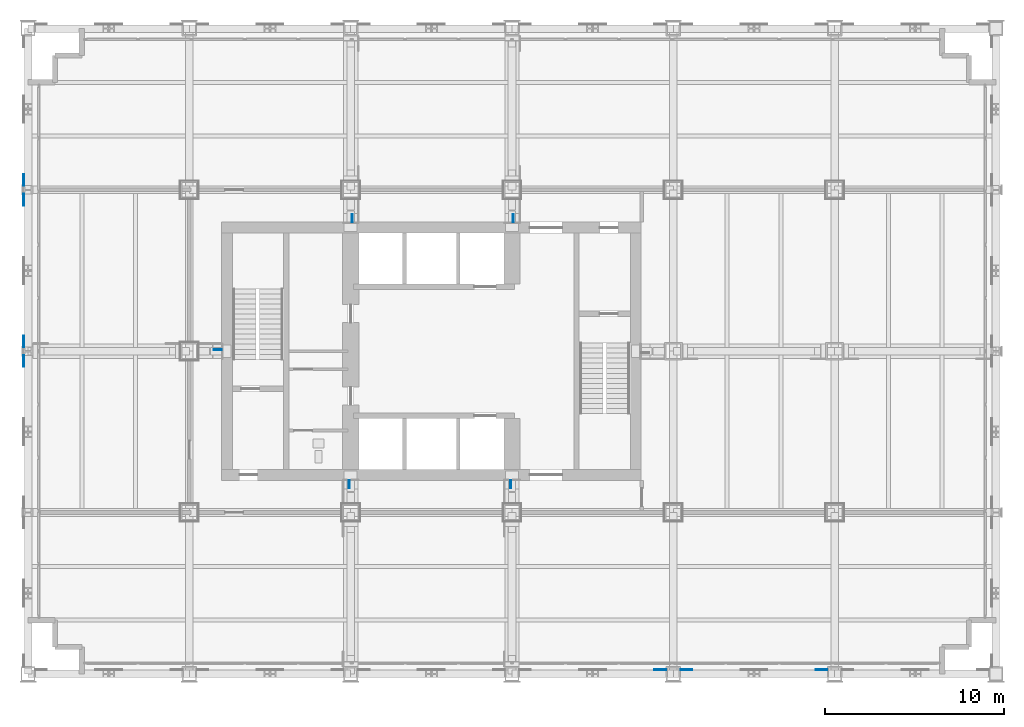
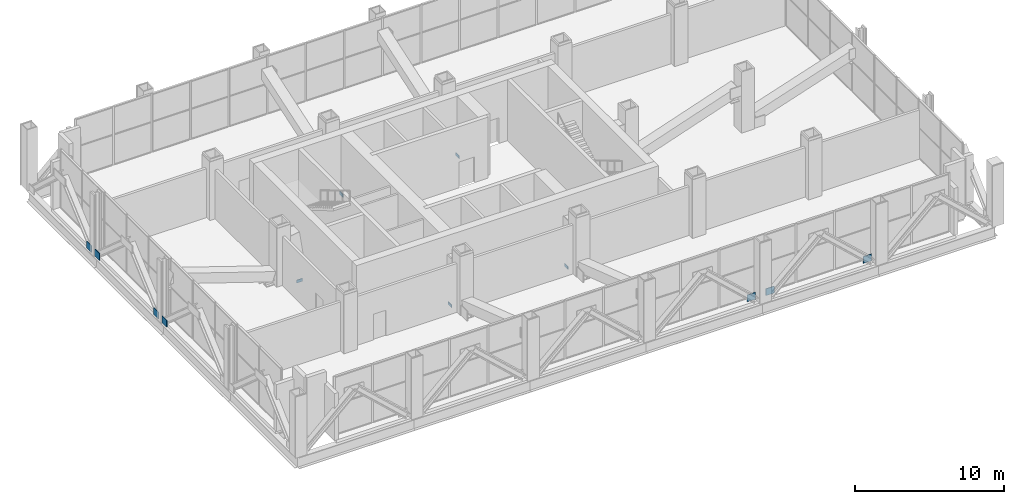
# One storey, part 13 of 19: 12 plates.
"""IFC4 building model written with IfcOpenShell, lengths in metres."""

from ifc_helpers import new_model, si_unit, direction, frame, origin, origin_2d, place, context, subcontext, project, spatial, rectangle, extrude, material, layer, layer_set, type_object, element, save


model = new_model("IFC4")

# Units and contexts
model_context = context("Model", 3, precision=1e-05, world=origin(), true_north=direction((0.0, 1.0)))
body_context = subcontext(model_context, "Body", "Model", "MODEL_VIEW")
ifc_project = project(units=[si_unit("LENGTHUNIT", "METRE"), si_unit("AREAUNIT", "SQUARE_METRE"), si_unit("VOLUMEUNIT", "CUBIC_METRE"), si_unit("PLANEANGLEUNIT", "RADIAN"), si_unit("MASSUNIT", "GRAM", prefix="KILO")], contexts=[model_context])

# Site, building, storey
site_placement = place(None, origin())
site = spatial("IfcSite", under=ifc_project, at=site_placement, CompositionType="ELEMENT")
building_placement = place(site_placement, origin())
building = spatial("IfcBuilding", under=site, at=building_placement, Name="Loomwork Tower", CompositionType="ELEMENT")
storey_placement = place(building_placement, frame((0.0, 0.0, 89.199951171875)))
storey = spatial("IfcBuildingStorey", under=building, at=storey_placement, Name="L23", CompositionType="ELEMENT", Elevation=89.199951171875)

# Plates
ifc_material_1 = material(Name="Steel ASTM A572 Grade 50 plate", Category="steel")
ifc_layer_1 = layer(ifc_material_1, 0.050048828125)
ifc_layer_set_1 = layer_set([ifc_layer_1], Name="OUTRIGGER SHEAR PLATE 50")
plate_type_1 = type_object("IfcPlateType", Name="OUTRIGGER SHEAR PLATE 50", PredefinedType="SHEET", material=ifc_layer_set_1)
for number, where, z_axis, x_axis, name in (
    (1, (26.922119140625, 10.575439453125, -0.66943359375), (0.0, 0.0, 1.0), (0.0, 1.0, 0.0), "Outrigger shear plate 27,9-27,11.1 L23"),
    (2, (27.077880859375, 25.424560546875, -0.66943359375), (0.0, 0.0, 1.0), (0.0, 1.0, 0.0), "Outrigger shear plate 27,27-27,24.9 L23"),
    (3, (17.922119140625, 10.575439453125, -0.66943359375), (0.0, 0.0, 1.0), (0.0, 1.0, 0.0), "Outrigger shear plate 18,9-18,11.1 L23"),
    (4, (18.077880859375, 25.424560546875, -0.66943359375), (0.0, 0.0, 1.0), (0.0, 1.0, 0.0), "Outrigger shear plate 18,27-18,24.9 L23"),
    (5, (10.575439453125, 18.077880859375, -0.66943359375), (0.0, 0.0, 1.0), (1.0, 0.0, 0.0), "Outrigger shear plate 9,18-11.1,18 L23"),
):
    element("IfcPlate", number, at=place(storey_placement, frame(where, z_axis=z_axis, x_axis=x_axis)), inside=storey, type_object=plate_type_1, Name=name, PredefinedType="SHEET", context=body_context, shape_type="SweptSolid", body=[
        extrude(rectangle(XDim=0.449951171875, YDim=0.050048828125, at=origin_2d()), origin(), (0.0, 0.0, 1.0), 0.239990234375),
    ])
ifc_material_2 = material(Name="Steel ASTM A572 Grade 50 plate", Category="steel")
ifc_layer_2 = layer(ifc_material_2, 0.050048828125)
ifc_layer_set_2 = layer_set([ifc_layer_2], Name="BELT TRUSS PIER GUSSET PLATE 50")
plate_type_2 = type_object("IfcPlateType", Name="BELT TRUSS PIER GUSSET PLATE 50", PredefinedType="SHEET", material=ifc_layer_set_2)
for number, where, z_axis, x_axis, name in (
    (6, (35.27294921875, 0.238037109375, 0.001953125), (0.0, 0.0, 1.0), (1.0, 0.0, 0.0), "Belt truss pier gusset plate D/5-D/6 2 L23"),
    (7, (36.72705078125, 0.238037109375, 0.001953125), (0.0, 0.0, 1.0), (1.0, 0.0, 0.0), "Belt truss pier gusset plate D/6-D/7 1 L23"),
    (8, (44.27294921875, 0.238037109375, 0.001953125), (0.0, 0.0, 1.0), (1.0, 0.0, 0.0), "Belt truss pier gusset plate D/6-D/7 2 L23"),
    (9, (-0.238037109375, 17.4482421875, 0.001953125), (0.0, 0.0, 1.0), (0.0, 1.0, 0.0), "Belt truss pier gusset plate E/2-F/2 2 L23"),
    (10, (-0.238037109375, 18.5517578125, 0.001953125), (0.0, 0.0, 1.0), (0.0, 1.0, 0.0), "Belt truss pier gusset plate F/2-G/2 1 L23"),
    (11, (-0.238037109375, 26.4482421875, 0.001953125), (0.0, 0.0, 1.0), (0.0, 1.0, 0.0), "Belt truss pier gusset plate F/2-G/2 2 L23"),
    (12, (-0.238037109375, 27.5517578125, 0.001953125), (0.0, 0.0, 1.0), (0.0, 1.0, 0.0), "Belt truss pier gusset plate G/2-H/2 1 L23"),
):
    element("IfcPlate", number, at=place(storey_placement, frame(where, z_axis=z_axis, x_axis=x_axis)), inside=storey, type_object=plate_type_2, Name=name, PredefinedType="SHEET", context=body_context, shape_type="SweptSolid", body=[
        extrude(rectangle(XDim=0.64990234375, YDim=0.050048828125, at=origin_2d()), origin(), (0.0, 0.0, 1.0), 0.550048828125),
    ])

save(model, "model.ifc")
